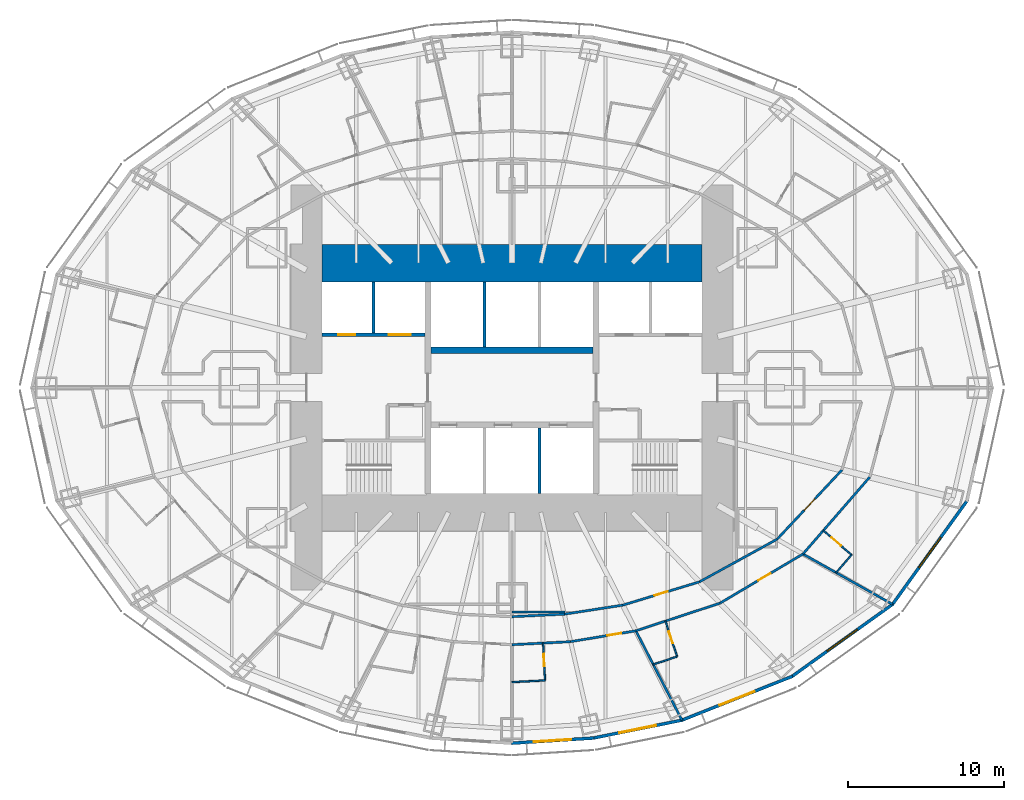
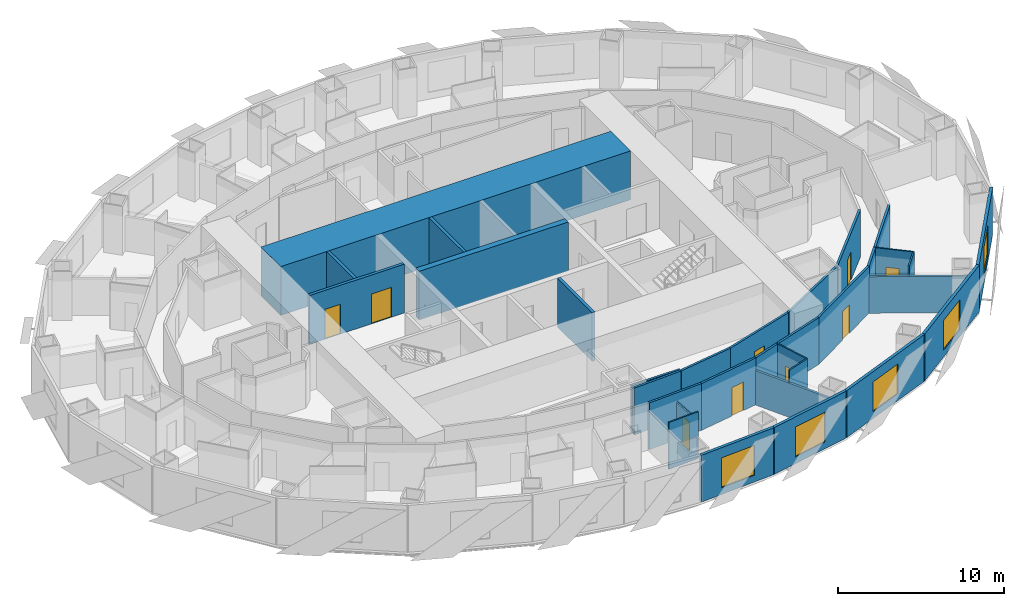
# One storey, part 7 of 15: 30 walls, 9 doors, 5 windows, 14 openings.
"""IFC4 building model written with IfcOpenShell, lengths in metres."""

from ifc_helpers import new_model, si_unit, direction, frame, frame_2d, origin, place, context, subcontext, project, spatial, rectangle, extrude, material, layer, layer_set, type_object, element, fill, save


model = new_model("IFC4")

# Units and contexts
model_context = context("Model", 3, precision=1e-05, world=origin(), true_north=direction((0.0, 1.0)))
body_context = subcontext(model_context, "Body", "Model", "MODEL_VIEW")
ifc_project = project(units=[si_unit("LENGTHUNIT", "METRE"), si_unit("AREAUNIT", "SQUARE_METRE"), si_unit("VOLUMEUNIT", "CUBIC_METRE"), si_unit("PLANEANGLEUNIT", "RADIAN"), si_unit("MASSUNIT", "GRAM", prefix="KILO")], contexts=[model_context])

# Site, building, storey
site_placement = place(None, origin())
site = spatial("IfcSite", under=ifc_project, at=site_placement, CompositionType="ELEMENT")
building_placement = place(site_placement, origin())
building = spatial("IfcBuilding", under=site, at=building_placement, Name="Lantaw Convention Tower", CompositionType="ELEMENT")
storey_placement = place(building_placement, frame((0.0, 0.0, 62.199951171875)))
storey = spatial("IfcBuildingStorey", under=building, at=storey_placement, Name="L13", CompositionType="ELEMENT", Elevation=62.199951171875)

# Wall
ifc_material_1 = material(Name="Gypsum board on steel studs", Category="steel")
ifc_layer_1 = layer(ifc_material_1, 0.14990234375)
ifc_layer_set_1 = layer_set([ifc_layer_1], Name="Back of house wall 150")
wall_type_1 = type_object("IfcWallType", Name="Back of house wall 150", PredefinedType="PARTITIONING", material=ifc_layer_set_1)
wall_1_placement = place(storey_placement, frame((0.0, -14.39990234375, 0.0), z_axis=(0.0, 0.0, 1.0), x_axis=(1.0, 0.0, 0.0)))
element("IfcWall", 1, at=wall_1_placement, inside=storey, type_object=wall_type_1, Name="Back of house wall 150", PredefinedType="PARTITIONING", context=body_context, shape_type="SweptSolid", body=[
    extrude(rectangle(XDim=3.401123046875, YDim=0.14990234375, at=frame_2d((1.70068359375, 0.0))), origin(), (0.0, 0.0, 1.0), 3.449951171875),
])

# Wall, opening, door
ifc_material_2 = material(Name="Moisture resistant gypsum board on steel studs", Category="steel")
ifc_layer_2 = layer(ifc_material_2, 0.10009765625)
ifc_layer_set_2 = layer_set([ifc_layer_2], Name="Bathroom wall 100")
wall_type_2 = type_object("IfcWallType", Name="Bathroom wall 100", PredefinedType="PARTITIONING", material=ifc_layer_set_2)
wall_2_placement = place(storey_placement, frame((1.997314453125, -16.39599609375, 0.0), z_axis=(0.0, 0.0, 1.0), x_axis=(0.051982187452, -0.998648012158, 0.0)))
wall_2 = element("IfcWall", 2, at=wall_2_placement, inside=storey, type_object=wall_type_2, Name="Bathroom wall 100", PredefinedType="PARTITIONING", context=body_context, shape_type="SweptSolid", body=[
    extrude(rectangle(XDim=2.39990234375, YDim=0.10009765625, at=frame_2d((1.199951171875, 0.0))), origin(), (0.0, 0.0, 1.0), 2.7490234375),
])
opening_1_placement = place(wall_2_placement, frame((0.699951171875, 0.0, 0.0)))
opening_1 = element("IfcOpeningElement", 3, at=opening_1_placement, cuts=wall_2, Name="Opening L13.55", PredefinedType="OPENING", context=body_context, shape_type="SweptSolid", body=[
    extrude(rectangle(XDim=0.800048828125, YDim=2.10009765625, at=frame_2d((0.39990234375, 1.050048828125))), frame((0.0, 0.06005859375, 0.0), z_axis=(0.0, -1.0, 0.0), x_axis=(1.0, 0.0, 0.0)), (0.0, 0.0, 1.0), 0.1201171875),
])
ifc_material_3 = material(Name="Timber", Category="wood")
door_type_1 = type_object("IfcDoorType", Name="Bathroom door 800", OperationType="SINGLE_SWING_LEFT", PredefinedType="DOOR", material=ifc_material_3)
door_1_placement = place(opening_1_placement, origin())
door_1 = element("IfcDoor", 4, at=door_1_placement, inside=storey, type_object=door_type_1, Name="Bathroom door", OperationType="SINGLE_SWING_LEFT", OverallHeight=2.10009765625, OverallWidth=0.800048828125, PredefinedType="DOOR", context=body_context, shape_type="SweptSolid", body=[
    extrude(rectangle(XDim=0.800048828125, YDim=2.10009765625, at=frame_2d((0.39990234375, 1.050048828125))), frame((0.0, 0.02490234375, 0.0), z_axis=(0.0, -1.0, 0.0), x_axis=(1.0, 0.0, 0.0)), (0.0, 0.0, 1.0), 0.050048828125),
])
fill(opening_1, door_1)

# Wall
wall_3_placement = place(storey_placement, frame((2.1220703125, -18.792724609375, 0.0), z_axis=(0.0, 0.0, 1.0), x_axis=(-0.998644675281, -0.052046253785, 0.0)))
element("IfcWall", 5, at=wall_3_placement, inside=storey, type_object=wall_type_2, Name="Bathroom wall 100", PredefinedType="PARTITIONING", context=body_context, shape_type="SweptSolid", body=[
    extrude(rectangle(XDim=2.125, YDim=0.10009765625, at=frame_2d((1.0625, 0.0))), origin(), (0.0, 0.0, 1.0), 3.449951171875),
])

# Wall, opening, door
wall_4_placement = place(storey_placement, frame((9.852294921875, -14.98291015625, 0.0), z_axis=(0.0, 0.0, 1.0), x_axis=(0.311890952591, -0.950117905153, 0.0)))
wall_4 = element("IfcWall", 6, at=wall_4_placement, inside=storey, type_object=wall_type_2, Name="Bathroom wall 100", PredefinedType="PARTITIONING", context=body_context, shape_type="SweptSolid", body=[
    extrude(rectangle(XDim=2.39990234375, YDim=0.10009765625, at=frame_2d((1.199951171875, 0.0))), origin(), (0.0, 0.0, 1.0), 3.449951171875),
])
opening_2_placement = place(wall_4_placement, frame((0.699951171875, 0.0, 0.0)))
opening_2 = element("IfcOpeningElement", 7, at=opening_2_placement, cuts=wall_4, Name="Opening L13.57", PredefinedType="OPENING", context=body_context, shape_type="SweptSolid", body=[
    extrude(rectangle(XDim=0.800048828125, YDim=2.10009765625, at=frame_2d((0.39990234375, 1.050048828125))), frame((0.0, 0.06005859375, 0.0), z_axis=(0.0, -1.0, 0.0), x_axis=(1.0, 0.0, 0.0)), (0.0, 0.0, 1.0), 0.1201171875),
])
door_2_placement = place(opening_2_placement, origin())
door_2 = element("IfcDoor", 8, at=door_2_placement, inside=storey, type_object=door_type_1, Name="Bathroom door", OperationType="SINGLE_SWING_LEFT", OverallHeight=2.10009765625, OverallWidth=0.800048828125, PredefinedType="DOOR", context=body_context, shape_type="SweptSolid", body=[
    extrude(rectangle(XDim=0.800048828125, YDim=2.10009765625, at=frame_2d((0.39990234375, 1.050048828125))), frame((0.0, 0.02490234375, 0.0), z_axis=(0.0, -1.0, 0.0), x_axis=(1.0, 0.0, 0.0)), (0.0, 0.0, 1.0), 0.050048828125),
])
fill(opening_2, door_2)

# Wall
wall_5_placement = place(storey_placement, frame((10.600830078125, -17.26318359375, 0.0), z_axis=(0.0, 0.0, 1.0), x_axis=(-0.950113706819, -0.311903741746, 0.0)))
element("IfcWall", 9, at=wall_5_placement, inside=storey, type_object=wall_type_2, Name="Bathroom wall 100", PredefinedType="PARTITIONING", context=body_context, shape_type="SweptSolid", body=[
    extrude(rectangle(XDim=1.62744140625, YDim=0.10009765625, at=frame_2d((0.813720703125, 0.0))), origin(), (0.0, 0.0, 1.0), 3.449951171875),
])

# Wall, opening, door
wall_6_placement = place(storey_placement, frame((19.99267578125, -9.164794921875, 0.0), z_axis=(0.0, 0.0, 1.0), x_axis=(0.755098052661, -0.655611875172, 0.0)))
wall_6 = element("IfcWall", 10, at=wall_6_placement, inside=storey, type_object=wall_type_2, Name="Bathroom wall 100", PredefinedType="PARTITIONING", context=body_context, shape_type="SweptSolid", body=[
    extrude(rectangle(XDim=2.400146484375, YDim=0.10009765625, at=frame_2d((1.2001953125, 0.0))), origin(), (0.0, 0.0, 1.0), 3.449951171875),
])
opening_3_placement = place(wall_6_placement, frame((0.699951171875, 0.0, 0.0)))
opening_3 = element("IfcOpeningElement", 11, at=opening_3_placement, cuts=wall_6, Name="Opening L13.59", PredefinedType="OPENING", context=body_context, shape_type="SweptSolid", body=[
    extrude(rectangle(XDim=0.800048828125, YDim=2.10009765625, at=frame_2d((0.39990234375, 1.050048828125))), frame((0.0, 0.06005859375, 0.0), z_axis=(0.0, -1.0, 0.0), x_axis=(1.0, 0.0, 0.0)), (0.0, 0.0, 1.0), 0.1201171875),
])
door_3_placement = place(opening_3_placement, origin())
door_3 = element("IfcDoor", 12, at=door_3_placement, inside=storey, type_object=door_type_1, Name="Bathroom door", OperationType="SINGLE_SWING_LEFT", OverallHeight=2.10009765625, OverallWidth=0.800048828125, PredefinedType="DOOR", context=body_context, shape_type="SweptSolid", body=[
    extrude(rectangle(XDim=0.800048828125, YDim=2.10009765625, at=frame_2d((0.39990234375, 1.050048828125))), frame((0.0, 0.02490234375, 0.0), z_axis=(0.0, -1.0, 0.0), x_axis=(1.0, 0.0, 0.0)), (0.0, 0.0, 1.0), 0.050048828125),
])
fill(opening_3, door_3)

# Walls
wall_7_placement = place(storey_placement, frame((21.804931640625, -10.73828125, 0.0), z_axis=(0.0, 0.0, 1.0), x_axis=(-0.655528024617, -0.755170847518, 0.0)))
element("IfcWall", 13, at=wall_7_placement, inside=storey, type_object=wall_type_2, Name="Bathroom wall 100", PredefinedType="PARTITIONING", context=body_context, shape_type="SweptSolid", body=[
    extrude(rectangle(XDim=1.52392578125, YDim=0.10009765625, at=frame_2d((0.761962890625, 0.0))), origin(), (0.0, 0.0, 1.0), 3.449951171875),
])
ifc_material_4 = material(Name="Concrete C60/75", Category="concrete")
ifc_layer_3 = layer(ifc_material_4, 2.39990234375)
ifc_layer_set_3 = layer_set([ifc_layer_3], Name="Core wall 2400")
wall_type_3 = type_object("IfcWallType", Name="Core wall 2400", PredefinedType="SHEAR", material=ifc_layer_set_3)
wall_8_placement = place(storey_placement, frame((12.199951171875, 8.0, 0.0), z_axis=(0.0, 0.0, 1.0), x_axis=(-1.0, 0.0, 0.0)))
element("IfcWall", 14, at=wall_8_placement, inside=storey, type_object=wall_type_3, Name="Core wall N", PredefinedType="SHEAR", context=body_context, shape_type="SweptSolid", body=[
    extrude(rectangle(XDim=24.39990234375, YDim=2.39990234375, at=frame_2d((12.199951171875, 0.0))), origin(), (0.0, 0.0, 1.0), 3.60009765625),
])
ifc_layer_4 = layer(ifc_material_4, 0.39990234375)
ifc_layer_set_4 = layer_set([ifc_layer_4], Name="Core wall 400")
wall_type_4 = type_object("IfcWallType", Name="Core wall 400", PredefinedType="SHEAR", material=ifc_layer_set_4)
wall_9_placement = place(storey_placement, frame((5.199951171875, 2.39990234375, 0.0), z_axis=(0.0, 0.0, 1.0), x_axis=(-1.0, 0.0, 0.0)))
element("IfcWall", 15, at=wall_9_placement, inside=storey, type_object=wall_type_4, Name="Core wall BN", PredefinedType="SHEAR", context=body_context, shape_type="SweptSolid", body=[
    extrude(rectangle(XDim=10.39990234375, YDim=0.39990234375, at=frame_2d((5.199951171875, 0.0))), origin(), (0.0, 0.0, 1.0), 3.60009765625),
])
ifc_material_5 = material(Name="Gypsum board on steel studs, fire rated", Category="steel")
ifc_layer_5 = layer(ifc_material_5, 0.14990234375)
ifc_layer_set_5 = layer_set([ifc_layer_5], Name="Corridor wall 150 EI 60")
wall_type_5 = type_object("IfcWallType", Name="Corridor wall 150 EI 60", PredefinedType="PARTITIONING", material=ifc_layer_set_5)
wall_10_placement = place(storey_placement, frame((0.0, -16.5, 0.0), z_axis=(0.0, 0.0, 1.0), x_axis=(0.998649848759, 0.05194689186, 0.0)))
element("IfcWall", 16, at=wall_10_placement, inside=storey, type_object=wall_type_5, Name="Corridor wall 150", PredefinedType="PARTITIONING", context=body_context, shape_type="SweptSolid", body=[
    extrude(rectangle(XDim=3.769287109375, YDim=0.14990234375, at=frame_2d((1.884765625, 0.0))), origin(), (0.0, 0.0, 1.0), 3.449951171875),
])

# Wall, opening, door
wall_11_placement = place(storey_placement, frame((3.76416015625, -16.30419921875, 0.0), z_axis=(0.0, 0.0, 1.0), x_axis=(0.98641101506, 0.164296407044, 0.0)))
wall_11 = element("IfcWall", 17, at=wall_11_placement, inside=storey, type_object=wall_type_5, Name="Corridor wall 150", PredefinedType="PARTITIONING", context=body_context, shape_type="SweptSolid", body=[
    extrude(rectangle(XDim=4.245361328125, YDim=0.14990234375, at=frame_2d((2.12255859375, 0.0))), origin(), (0.0, 0.0, 1.0), 3.449951171875),
])
opening_4_placement = place(wall_11_placement, frame((2.38330078125, 0.0, 0.0)))
opening_4 = element("IfcOpeningElement", 18, at=opening_4_placement, cuts=wall_11, Name="Opening L13.56", PredefinedType="OPENING", context=body_context, shape_type="SweptSolid", body=[
    extrude(rectangle(XDim=0.89990234375, YDim=2.10009765625, at=frame_2d((0.449951171875, 1.050048828125))), frame((0.0, 0.0849609375, 0.0), z_axis=(0.0, -1.0, 0.0), x_axis=(1.0, 0.0, 0.0)), (0.0, 0.0, 1.0), 0.169921875),
])
ifc_material_6 = material(Name="Steel, fire rated", Category="steel")
door_type_2 = type_object("IfcDoorType", Name="Guest room entrance door FD30S", OperationType="SINGLE_SWING_LEFT", PredefinedType="DOOR", material=ifc_material_6)
door_4_placement = place(opening_4_placement, origin())
door_4 = element("IfcDoor", 19, at=door_4_placement, inside=storey, type_object=door_type_2, Name="Junior suite entrance door", OperationType="SINGLE_SWING_LEFT", OverallHeight=2.10009765625, OverallWidth=0.89990234375, PredefinedType="DOOR", context=body_context, shape_type="SweptSolid", body=[
    extrude(rectangle(XDim=0.89990234375, YDim=2.10009765625, at=frame_2d((0.449951171875, 1.050048828125))), frame((0.0, 0.02490234375, 0.0), z_axis=(0.0, -1.0, 0.0), x_axis=(1.0, 0.0, 0.0)), (0.0, 0.0, 1.0), 0.050048828125),
])
fill(opening_4, door_4)

# Wall
wall_12_placement = place(storey_placement, frame((7.951904296875, -15.606689453125, 0.0), z_axis=(0.0, 0.0, 1.0), x_axis=(0.950106803111, 0.311924770869, 0.0)))
element("IfcWall", 20, at=wall_12_placement, inside=storey, type_object=wall_type_5, Name="Corridor wall 150", PredefinedType="PARTITIONING", context=body_context, shape_type="SweptSolid", body=[
    extrude(rectangle(XDim=5.689453125, YDim=0.14990234375, at=frame_2d((2.8447265625, 0.0))), origin(), (0.0, 0.0, 1.0), 3.449951171875),
])

# Wall, opening, door
wall_13_placement = place(storey_placement, frame((13.357421875, -13.83203125, 0.0), z_axis=(0.0, 0.0, 1.0), x_axis=(0.860147339762, 0.510045639036, 0.0)))
wall_13 = element("IfcWall", 21, at=wall_13_placement, inside=storey, type_object=wall_type_5, Name="Corridor wall 150", PredefinedType="PARTITIONING", context=body_context, shape_type="SweptSolid", body=[
    extrude(rectangle(XDim=6.189697265625, YDim=0.14990234375, at=frame_2d((3.0947265625, 0.0))), origin(), (0.0, 0.0, 1.0), 3.449951171875),
])
opening_5_placement = place(wall_13_placement, frame((2.852783203125, 0.0, 0.0)))
opening_5 = element("IfcOpeningElement", 22, at=opening_5_placement, cuts=wall_13, Name="Opening L13.58", PredefinedType="OPENING", context=body_context, shape_type="SweptSolid", body=[
    extrude(rectangle(XDim=0.89990234375, YDim=2.10009765625, at=frame_2d((0.449951171875, 1.050048828125))), frame((0.0, 0.0849609375, 0.0), z_axis=(0.0, -1.0, 0.0), x_axis=(1.0, 0.0, 0.0)), (0.0, 0.0, 1.0), 0.169921875),
])
door_5_placement = place(opening_5_placement, origin())
door_5 = element("IfcDoor", 23, at=door_5_placement, inside=storey, type_object=door_type_2, Name="Junior suite entrance door", OperationType="SINGLE_SWING_LEFT", OverallHeight=2.10009765625, OverallWidth=0.89990234375, PredefinedType="DOOR", context=body_context, shape_type="SweptSolid", body=[
    extrude(rectangle(XDim=0.89990234375, YDim=2.10009765625, at=frame_2d((0.449951171875, 1.050048828125))), frame((0.0, 0.02490234375, 0.0), z_axis=(0.0, -1.0, 0.0), x_axis=(1.0, 0.0, 0.0)), (0.0, 0.0, 1.0), 0.050048828125),
])
fill(opening_5, door_5)

# Walls
wall_14_placement = place(storey_placement, frame((18.681396484375, -10.675048828125, 0.0), z_axis=(0.0, 0.0, 1.0), x_axis=(0.655599989166, 0.755108372491, 0.0)))
element("IfcWall", 24, at=wall_14_placement, inside=storey, type_object=wall_type_5, Name="Corridor wall 150", PredefinedType="PARTITIONING", context=body_context, shape_type="SweptSolid", body=[
    extrude(rectangle(XDim=6.55078125, YDim=0.14990234375, at=frame_2d((3.275390625, 0.0))), origin(), (0.0, 0.0, 1.0), 3.449951171875),
])
wall_15_placement = place(storey_placement, frame((0.0, -14.699951171875, 0.0), z_axis=(0.0, 0.0, 1.0), x_axis=(0.998842682549, 0.048096730859, 0.0)))
element("IfcWall", 25, at=wall_15_placement, inside=storey, type_object=wall_type_5, Name="Corridor wall 150", PredefinedType="PARTITIONING", context=body_context, shape_type="SweptSolid", body=[
    extrude(rectangle(XDim=3.3603515625, YDim=0.14990234375, at=frame_2d((1.68017578125, 0.0))), origin(), (0.0, 0.0, 1.0), 3.449951171875),
])
wall_16_placement = place(storey_placement, frame((3.3564453125, -14.538330078125, 0.0), z_axis=(0.0, 0.0, 1.0), x_axis=(0.988343461108, 0.152240608529, 0.0)))
element("IfcWall", 26, at=wall_16_placement, inside=storey, type_object=wall_type_5, Name="Corridor wall 150", PredefinedType="PARTITIONING", context=body_context, shape_type="SweptSolid", body=[
    extrude(rectangle(XDim=3.800537109375, YDim=0.14990234375, at=frame_2d((1.900390625, 0.0))), origin(), (0.0, 0.0, 1.0), 3.449951171875),
])

# Wall, opening, door
wall_17_placement = place(storey_placement, frame((7.11279296875, -13.959716796875, 0.0), z_axis=(0.0, 0.0, 1.0), x_axis=(0.956795045135, 0.290763205385, 0.0)))
wall_17 = element("IfcWall", 27, at=wall_17_placement, inside=storey, type_object=wall_type_5, Name="Corridor wall 150", PredefinedType="PARTITIONING", context=body_context, shape_type="SweptSolid", body=[
    extrude(rectangle(XDim=5.1455078125, YDim=0.14990234375, at=frame_2d((2.57275390625, 0.0))), origin(), (0.0, 0.0, 1.0), 3.449951171875),
])
opening_6_placement = place(wall_17_placement, frame((2.122802734375, 0.0, 0.0)))
opening_6 = element("IfcOpeningElement", 28, at=opening_6_placement, cuts=wall_17, Name="Opening L13.23", PredefinedType="OPENING", context=body_context, shape_type="SweptSolid", body=[
    extrude(rectangle(XDim=0.89990234375, YDim=2.10009765625, at=frame_2d((0.449951171875, 1.050048828125))), frame((0.0, 0.0849609375, 0.0), z_axis=(0.0, -1.0, 0.0), x_axis=(1.0, 0.0, 0.0)), (0.0, 0.0, 1.0), 0.169921875),
])
door_type_3 = type_object("IfcDoorType", Name="Service door 900 FD30", OperationType="SINGLE_SWING_LEFT", PredefinedType="DOOR", material=ifc_material_6)
door_6_placement = place(opening_6_placement, origin())
door_6 = element("IfcDoor", 29, at=door_6_placement, inside=storey, type_object=door_type_3, Name="Guest ice and vending room door", OperationType="SINGLE_SWING_LEFT", OverallHeight=2.10009765625, OverallWidth=0.89990234375, PredefinedType="DOOR", context=body_context, shape_type="SweptSolid", body=[
    extrude(rectangle(XDim=0.89990234375, YDim=2.10009765625, at=frame_2d((0.449951171875, 1.050048828125))), frame((0.0, 0.02490234375, 0.0), z_axis=(0.0, -1.0, 0.0), x_axis=(1.0, 0.0, 0.0)), (0.0, 0.0, 1.0), 0.050048828125),
])
fill(opening_6, door_6)

# Wall
wall_18_placement = place(storey_placement, frame((12.035888671875, -12.463623046875, 0.0), z_axis=(0.0, 0.0, 1.0), x_axis=(0.876522084062, 0.481361647986, 0.0)))
element("IfcWall", 30, at=wall_18_placement, inside=storey, type_object=wall_type_5, Name="Corridor wall 150", PredefinedType="PARTITIONING", context=body_context, shape_type="SweptSolid", body=[
    extrude(rectangle(XDim=5.68701171875, YDim=0.14990234375, at=frame_2d((2.843505859375, 0.0))), origin(), (0.0, 0.0, 1.0), 3.449951171875),
])

# Wall, opening, door
wall_19_placement = place(storey_placement, frame((17.020751953125, -9.72607421875, 0.0), z_axis=(0.0, 0.0, 1.0), x_axis=(0.68365836236, 0.729802194828, 0.0)))
wall_19 = element("IfcWall", 31, at=wall_19_placement, inside=storey, type_object=wall_type_5, Name="Corridor wall 150", PredefinedType="PARTITIONING", context=body_context, shape_type="SweptSolid", body=[
    extrude(rectangle(XDim=6.08984375, YDim=0.14990234375, at=frame_2d((3.044921875, 0.0))), origin(), (0.0, 0.0, 1.0), 3.449951171875),
])
opening_7_placement = place(wall_19_placement, frame((2.544921875, 0.0, 0.0)))
opening_7 = element("IfcOpeningElement", 32, at=opening_7_placement, cuts=wall_19, Name="Opening L13.24", PredefinedType="OPENING", context=body_context, shape_type="SweptSolid", body=[
    extrude(rectangle(XDim=1.0, YDim=2.10009765625, at=frame_2d((0.5, 1.050048828125))), frame((0.0, 0.0849609375, 0.0), z_axis=(0.0, -1.0, 0.0), x_axis=(1.0, 0.0, 0.0)), (0.0, 0.0, 1.0), 0.169921875),
])
door_type_4 = type_object("IfcDoorType", Name="Service door 1000 FD30", OperationType="SINGLE_SWING_LEFT", PredefinedType="DOOR", material=ifc_material_6)
door_7_placement = place(opening_7_placement, origin())
door_7 = element("IfcDoor", 33, at=door_7_placement, inside=storey, type_object=door_type_4, Name="Room service pantry door", OperationType="SINGLE_SWING_LEFT", OverallHeight=2.10009765625, OverallWidth=1.0, PredefinedType="DOOR", context=body_context, shape_type="SweptSolid", body=[
    extrude(rectangle(XDim=1.0, YDim=2.10009765625, at=frame_2d((0.5, 1.050048828125))), frame((0.0, 0.02490234375, 0.0), z_axis=(0.0, -1.0, 0.0), x_axis=(1.0, 0.0, 0.0)), (0.0, 0.0, 1.0), 0.050048828125),
])
fill(opening_7, door_7)

# Wall, opening, window
ifc_material_7 = material(Name="Insulated aluminium panel on steel frame", Category="steel")
ifc_layer_6 = layer(ifc_material_7, 0.199951171875)
ifc_layer_set_6 = layer_set([ifc_layer_6], Name="External wall 200")
wall_type_6 = type_object("IfcWallType", Name="External wall 200", PredefinedType="SOLIDWALL", material=ifc_layer_set_6)
wall_20_placement = place(storey_placement, frame((-0.041015625, -22.8271484375, 0.0), z_axis=(0.0, 0.0, 1.0), x_axis=(0.998018582375, 0.062919863585, 0.0)))
wall_20 = element("IfcWall", 34, at=wall_20_placement, inside=storey, type_object=wall_type_6, Name="Facade panel wall", PredefinedType="SOLIDWALL", context=body_context, shape_type="SweptSolid", body=[
    extrude(rectangle(XDim=5.30419921875, YDim=0.199951171875, at=frame_2d((2.652099609375, 0.0))), origin(), (0.0, 0.0, 1.0), 3.449951171875),
])
opening_8_placement = place(wall_20_placement, frame((1.4521484375, 0.0, 0.5)))
opening_8 = element("IfcOpeningElement", 35, at=opening_8_placement, cuts=wall_20, Name="Opening W1", PredefinedType="OPENING", context=body_context, shape_type="SweptSolid", body=[
    extrude(rectangle(XDim=2.39990234375, YDim=2.199951171875, at=frame_2d((1.199951171875, 1.10009765625))), frame((0.0, 0.10986328125, 0.0), z_axis=(0.0, -1.0, 0.0), x_axis=(1.0, 0.0, 0.0)), (0.0, 0.0, 1.0), 0.219970703125),
])
ifc_material_8 = material(Name="Aluminium frame, clear insulating glass", Category="aluminium")
window_type = type_object("IfcWindowType", Name="Guest room window 2400x2200", PartitioningType="SINGLE_PANEL", PredefinedType="WINDOW", material=ifc_material_8)
window_1_placement = place(opening_8_placement, origin())
window_1 = element("IfcWindow", 36, at=window_1_placement, inside=storey, type_object=window_type, Name="Guest room window", OverallHeight=2.199951171875, OverallWidth=2.39990234375, PartitioningType="SINGLE_PANEL", PredefinedType="WINDOW", context=body_context, shape_type="SweptSolid", body=[
    extrude(rectangle(XDim=2.39990234375, YDim=2.199951171875, at=frame_2d((1.199951171875, 1.10009765625))), frame((0.0, 0.030029296875, 0.0), z_axis=(0.0, -1.0, 0.0), x_axis=(1.0, 0.0, 0.0)), (0.0, 0.0, 1.0), 0.06005859375),
])
fill(opening_8, window_1)

wall_21_placement = place(storey_placement, frame((5.169677734375, -22.504150390625, 0.0), z_axis=(0.0, 0.0, 1.0), x_axis=(0.980251657452, 0.197754110105, 0.0)))
wall_21 = element("IfcWall", 37, at=wall_21_placement, inside=storey, type_object=wall_type_6, Name="Facade panel wall", PredefinedType="SOLIDWALL", context=body_context, shape_type="SweptSolid", body=[
    extrude(rectangle(XDim=5.90380859375, YDim=0.199951171875, at=frame_2d((2.951904296875, 0.0))), origin(), (0.0, 0.0, 1.0), 3.449951171875),
])
opening_9_placement = place(wall_21_placement, frame((1.751708984375, 0.0, 0.5)))
opening_9 = element("IfcOpeningElement", 38, at=opening_9_placement, cuts=wall_21, Name="Opening W1", PredefinedType="OPENING", context=body_context, shape_type="SweptSolid", body=[
    extrude(rectangle(XDim=2.39990234375, YDim=2.199951171875, at=frame_2d((1.199951171875, 1.10009765625))), frame((0.0, 0.10986328125, 0.0), z_axis=(0.0, -1.0, 0.0), x_axis=(1.0, 0.0, 0.0)), (0.0, 0.0, 1.0), 0.219970703125),
])
window_2_placement = place(opening_9_placement, origin())
window_2 = element("IfcWindow", 39, at=window_2_placement, inside=storey, type_object=window_type, Name="Guest room window", OverallHeight=2.199951171875, OverallWidth=2.39990234375, PartitioningType="SINGLE_PANEL", PredefinedType="WINDOW", context=body_context, shape_type="SweptSolid", body=[
    extrude(rectangle(XDim=2.39990234375, YDim=2.199951171875, at=frame_2d((1.199951171875, 1.10009765625))), frame((0.0, 0.030029296875, 0.0), z_axis=(0.0, -1.0, 0.0), x_axis=(1.0, 0.0, 0.0)), (0.0, 0.0, 1.0), 0.06005859375),
])
fill(opening_9, window_2)

wall_22_placement = place(storey_placement, frame((10.869384765625, -21.362548828125, 0.0), z_axis=(0.0, 0.0, 1.0), x_axis=(0.929358351251, 0.369178892895, 0.0)))
wall_22 = element("IfcWall", 40, at=wall_22_placement, inside=storey, type_object=wall_type_6, Name="Facade panel wall", PredefinedType="SOLIDWALL", context=body_context, shape_type="SweptSolid", body=[
    extrude(rectangle(XDim=7.6923828125, YDim=0.199951171875, at=frame_2d((3.84619140625, 0.0))), origin(), (0.0, 0.0, 1.0), 3.449951171875),
])
opening_10_placement = place(wall_22_placement, frame((2.64599609375, 0.0, 0.5)))
opening_10 = element("IfcOpeningElement", 41, at=opening_10_placement, cuts=wall_22, Name="Opening W1", PredefinedType="OPENING", context=body_context, shape_type="SweptSolid", body=[
    extrude(rectangle(XDim=2.39990234375, YDim=2.199951171875, at=frame_2d((1.199951171875, 1.10009765625))), frame((0.0, 0.10986328125, 0.0), z_axis=(0.0, -1.0, 0.0), x_axis=(1.0, 0.0, 0.0)), (0.0, 0.0, 1.0), 0.219970703125),
])
window_3_placement = place(opening_10_placement, origin())
window_3 = element("IfcWindow", 42, at=window_3_placement, inside=storey, type_object=window_type, Name="Guest room window", OverallHeight=2.199951171875, OverallWidth=2.39990234375, PartitioningType="SINGLE_PANEL", PredefinedType="WINDOW", context=body_context, shape_type="SweptSolid", body=[
    extrude(rectangle(XDim=2.39990234375, YDim=2.199951171875, at=frame_2d((1.199951171875, 1.10009765625))), frame((0.0, 0.030029296875, 0.0), z_axis=(0.0, -1.0, 0.0), x_axis=(1.0, 0.0, 0.0)), (0.0, 0.0, 1.0), 0.06005859375),
])
fill(opening_10, window_3)

wall_23_placement = place(storey_placement, frame((17.9287109375, -18.57177734375, 0.0), z_axis=(0.0, 0.0, 1.0), x_axis=(0.812791321576, 0.582554948112, 0.0)))
wall_23 = element("IfcWall", 43, at=wall_23_placement, inside=storey, type_object=wall_type_6, Name="Facade panel wall", PredefinedType="SOLIDWALL", context=body_context, shape_type="SweptSolid", body=[
    extrude(rectangle(XDim=8.063232421875, YDim=0.199951171875, at=frame_2d((4.03173828125, 0.0))), origin(), (0.0, 0.0, 1.0), 3.449951171875),
])
opening_11_placement = place(wall_23_placement, frame((2.83154296875, 0.0, 0.5)))
opening_11 = element("IfcOpeningElement", 44, at=opening_11_placement, cuts=wall_23, Name="Opening W1", PredefinedType="OPENING", context=body_context, shape_type="SweptSolid", body=[
    extrude(rectangle(XDim=2.39990234375, YDim=2.199951171875, at=frame_2d((1.199951171875, 1.10009765625))), frame((0.0, 0.10986328125, 0.0), z_axis=(0.0, -1.0, 0.0), x_axis=(1.0, 0.0, 0.0)), (0.0, 0.0, 1.0), 0.219970703125),
])
window_4_placement = place(opening_11_placement, origin())
window_4 = element("IfcWindow", 45, at=window_4_placement, inside=storey, type_object=window_type, Name="Guest room window", OverallHeight=2.199951171875, OverallWidth=2.39990234375, PartitioningType="SINGLE_PANEL", PredefinedType="WINDOW", context=body_context, shape_type="SweptSolid", body=[
    extrude(rectangle(XDim=2.39990234375, YDim=2.199951171875, at=frame_2d((1.199951171875, 1.10009765625))), frame((0.0, 0.030029296875, 0.0), z_axis=(0.0, -1.0, 0.0), x_axis=(1.0, 0.0, 0.0)), (0.0, 0.0, 1.0), 0.06005859375),
])
fill(opening_11, window_4)

wall_24_placement = place(storey_placement, frame((24.400390625, -13.95654296875, 0.0), z_axis=(0.0, 0.0, 1.0), x_axis=(0.583937613703, 0.811798536155, 0.0)))
wall_24 = element("IfcWall", 46, at=wall_24_placement, inside=storey, type_object=wall_type_6, Name="Facade panel wall", PredefinedType="SOLIDWALL", context=body_context, shape_type="SweptSolid", body=[
    extrude(rectangle(XDim=8.322998046875, YDim=0.199951171875, at=frame_2d((4.16162109375, 0.0))), origin(), (0.0, 0.0, 1.0), 3.449951171875),
])
opening_12_placement = place(wall_24_placement, frame((2.96142578125, 0.0, 0.5)))
opening_12 = element("IfcOpeningElement", 47, at=opening_12_placement, cuts=wall_24, Name="Opening W1", PredefinedType="OPENING", context=body_context, shape_type="SweptSolid", body=[
    extrude(rectangle(XDim=2.39990234375, YDim=2.199951171875, at=frame_2d((1.199951171875, 1.10009765625))), frame((0.0, 0.10986328125, 0.0), z_axis=(0.0, -1.0, 0.0), x_axis=(1.0, 0.0, 0.0)), (0.0, 0.0, 1.0), 0.219970703125),
])
window_5_placement = place(opening_12_placement, origin())
window_5 = element("IfcWindow", 48, at=window_5_placement, inside=storey, type_object=window_type, Name="Guest room window", OverallHeight=2.199951171875, OverallWidth=2.39990234375, PartitioningType="SINGLE_PANEL", PredefinedType="WINDOW", context=body_context, shape_type="SweptSolid", body=[
    extrude(rectangle(XDim=2.39990234375, YDim=2.199951171875, at=frame_2d((1.199951171875, 1.10009765625))), frame((0.0, 0.030029296875, 0.0), z_axis=(0.0, -1.0, 0.0), x_axis=(1.0, 0.0, 0.0)), (0.0, 0.0, 1.0), 0.06005859375),
])
fill(opening_12, window_5)

# Walls
ifc_material_9 = material(Name="Gypsum board on steel studs, acoustic", Category="steel")
ifc_layer_7 = layer(ifc_material_9, 0.14990234375)
ifc_layer_set_7 = layer_set([ifc_layer_7], Name="Guest room party wall 150")
wall_type_7 = type_object("IfcWallType", Name="Guest room party wall 150", PredefinedType="PARTITIONING", material=ifc_layer_set_7)
wall_25_placement = place(storey_placement, frame((10.911865234375, -21.345703125, 0.0), z_axis=(0.0, 0.0, 1.0), x_axis=(-0.458384799126, 0.888753833145, 0.0)))
element("IfcWall", 49, at=wall_25_placement, inside=storey, type_object=wall_type_7, Name="Guest room party wall 150", PredefinedType="PARTITIONING", context=body_context, shape_type="SweptSolid", body=[
    extrude(rectangle(XDim=6.457275390625, YDim=0.14990234375, at=frame_2d((3.228515625, 0.0))), origin(), (0.0, 0.0, 1.0), 2.528076171875),
])
wall_26_placement = place(storey_placement, frame((24.434814453125, -13.90869140625, 0.0), z_axis=(0.0, 0.0, 1.0), x_axis=(-0.871747379892, 0.489955616001, 0.0)))
element("IfcWall", 50, at=wall_26_placement, inside=storey, type_object=wall_type_7, Name="Guest room party wall 150", PredefinedType="PARTITIONING", context=body_context, shape_type="SweptSolid", body=[
    extrude(rectangle(XDim=6.599853515625, YDim=0.14990234375, at=frame_2d((3.2998046875, 0.0))), origin(), (0.0, 0.0, 1.0), 2.693115234375),
])
ifc_material_10 = material(Name="Concrete blockwork, fire rated", Category="masonry")
ifc_layer_8 = layer(ifc_material_10, 0.199951171875)
ifc_layer_set_8 = layer_set([ifc_layer_8], Name="Shaft wall 200")
wall_type_8 = type_object("IfcWallType", Name="Shaft wall 200", PredefinedType="SOLIDWALL", material=ifc_layer_set_8)
wall_27_placement = place(storey_placement, frame((-1.7666015625, 2.60009765625, 0.0), z_axis=(0.0, 0.0, 1.0), x_axis=(0.0, 1.0, 0.0)))
element("IfcWall", 51, at=wall_27_placement, inside=storey, type_object=wall_type_8, Name="Shaft wall DN1", PredefinedType="SOLIDWALL", context=body_context, shape_type="SweptSolid", body=[
    extrude(rectangle(XDim=4.199951171875, YDim=0.199951171875, at=frame_2d((2.10009765625, 0.0))), origin(), (0.0, 0.0, 1.0), 3.60009765625),
])

# Wall, openings, doors
wall_28_placement = place(storey_placement, frame((-12.199951171875, 3.39990234375, 0.0), z_axis=(0.0, 0.0, 1.0), x_axis=(1.0, 0.0, 0.0)))
wall_28 = element("IfcWall", 52, at=wall_28_placement, inside=storey, type_object=wall_type_8, Name="Shaft wall WN", PredefinedType="SOLIDWALL", context=body_context, shape_type="SweptSolid", body=[
    extrude(rectangle(XDim=6.599853515625, YDim=0.199951171875, at=frame_2d((3.2998046875, 0.0))), origin(), (0.0, 0.0, 1.0), 3.60009765625),
])
opening_13_placement = place(wall_28_placement, frame((1.050048828125, 0.0, 0.0)))
opening_13 = element("IfcOpeningElement", 53, at=opening_13_placement, cuts=wall_28, Name="Opening L13.12", PredefinedType="OPENING", context=body_context, shape_type="SweptSolid", body=[
    extrude(rectangle(XDim=1.10009765625, YDim=2.199951171875, at=frame_2d((0.550048828125, 1.10009765625))), frame((0.0, 0.10986328125, 0.0), z_axis=(0.0, -1.0, 0.0), x_axis=(1.0, 0.0, 0.0)), (0.0, 0.0, 1.0), 0.219970703125),
])
opening_14_placement = place(wall_28_placement, frame((4.300048828125, 0.0, 0.0)))
opening_14 = element("IfcOpeningElement", 54, at=opening_14_placement, cuts=wall_28, Name="Opening L13.13", PredefinedType="OPENING", context=body_context, shape_type="SweptSolid", body=[
    extrude(rectangle(XDim=1.39990234375, YDim=2.199951171875, at=frame_2d((0.699951171875, 1.10009765625))), frame((0.0, 0.10986328125, 0.0), z_axis=(0.0, -1.0, 0.0), x_axis=(1.0, 0.0, 0.0)), (0.0, 0.0, 1.0), 0.219970703125),
])
ifc_material_11 = material(Name="Stainless steel", Category="steel")
door_type_5 = type_object("IfcDoorType", Name="Lift landing door 1100", OperationType="DOUBLE_DOOR_SLIDING", PredefinedType="DOOR", material=ifc_material_11)
door_8_placement = place(opening_13_placement, origin())
door_8 = element("IfcDoor", 55, at=door_8_placement, inside=storey, type_object=door_type_5, Name="Lift landing door FF1", OperationType="DOUBLE_DOOR_SLIDING", OverallHeight=2.199951171875, OverallWidth=1.10009765625, PredefinedType="DOOR", context=body_context, shape_type="SweptSolid", body=[
    extrude(rectangle(XDim=1.10009765625, YDim=2.199951171875, at=frame_2d((0.550048828125, 1.10009765625))), frame((0.0, 0.02490234375, 0.0), z_axis=(0.0, -1.0, 0.0), x_axis=(1.0, 0.0, 0.0)), (0.0, 0.0, 1.0), 0.050048828125),
])
fill(opening_13, door_8)
door_type_6 = type_object("IfcDoorType", Name="Lift landing door 1400", OperationType="DOUBLE_DOOR_SLIDING", PredefinedType="DOOR", material=ifc_material_11)
door_9_placement = place(opening_14_placement, origin())
door_9 = element("IfcDoor", 56, at=door_9_placement, inside=storey, type_object=door_type_6, Name="Lift landing door SV1", OperationType="DOUBLE_DOOR_SLIDING", OverallHeight=2.199951171875, OverallWidth=1.39990234375, PredefinedType="DOOR", context=body_context, shape_type="SweptSolid", body=[
    extrude(rectangle(XDim=1.39990234375, YDim=2.199951171875, at=frame_2d((0.699951171875, 1.10009765625))), frame((0.0, 0.02490234375, 0.0), z_axis=(0.0, -1.0, 0.0), x_axis=(1.0, 0.0, 0.0)), (0.0, 0.0, 1.0), 0.050048828125),
])
fill(opening_14, door_9)

# Walls
wall_29_placement = place(storey_placement, frame((-8.89990234375, 3.5, 0.0), z_axis=(0.0, 0.0, 1.0), x_axis=(0.0, 1.0, 0.0)))
element("IfcWall", 57, at=wall_29_placement, inside=storey, type_object=wall_type_8, Name="Shaft wall WD", PredefinedType="SOLIDWALL", context=body_context, shape_type="SweptSolid", body=[
    extrude(rectangle(XDim=3.300048828125, YDim=0.199951171875, at=frame_2d((1.64990234375, 0.0))), origin(), (0.0, 0.0, 1.0), 3.60009765625),
])
ifc_layer_9 = layer(ifc_material_10, 0.199951171875)
ifc_layer_set_9 = layer_set([ifc_layer_9], Name="Shaft wall 200 load-bearing")
wall_type_9 = type_object("IfcWallType", Name="Shaft wall 200 load-bearing", PredefinedType="SOLIDWALL", material=ifc_layer_set_9)
wall_30_placement = place(storey_placement, frame((1.7666015625, -2.60009765625, 0.0), z_axis=(0.0, 0.0, 1.0), x_axis=(0.0, -1.0, 0.0)))
element("IfcWall", 58, at=wall_30_placement, inside=storey, type_object=wall_type_9, Name="Shaft wall DS2", PredefinedType="SOLIDWALL", context=body_context, shape_type="SweptSolid", body=[
    extrude(rectangle(XDim=4.199951171875, YDim=0.199951171875, at=frame_2d((2.10009765625, 0.0))), origin(), (0.0, 0.0, 1.0), 3.60009765625),
])

save(model, "model.ifc")
